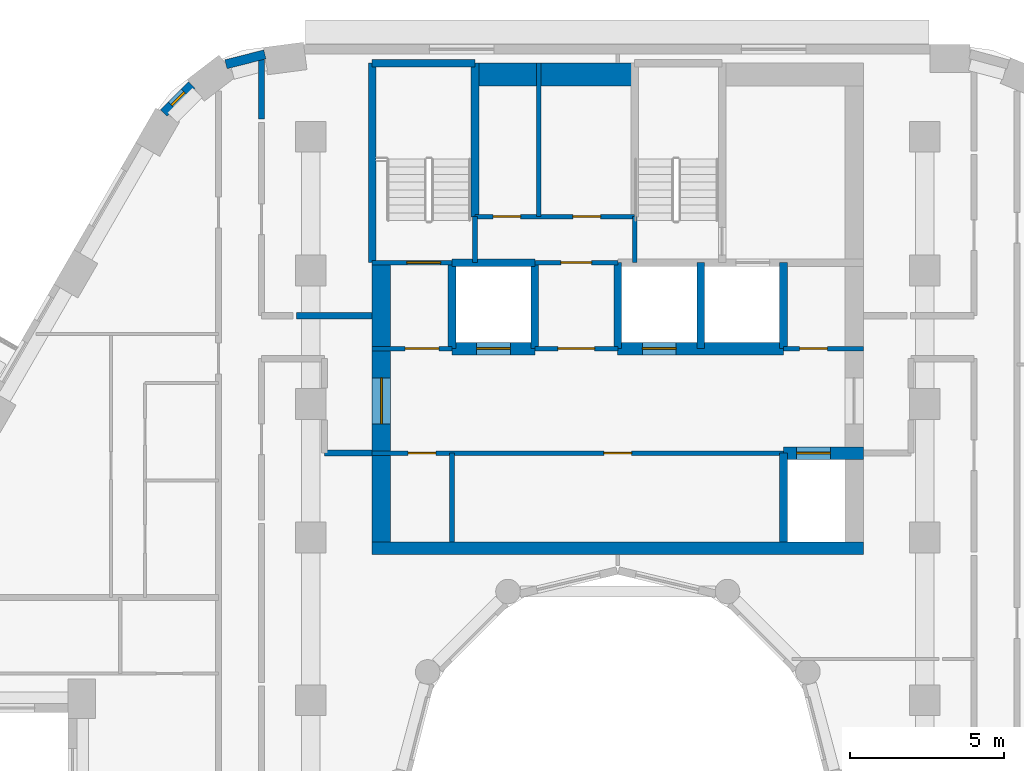
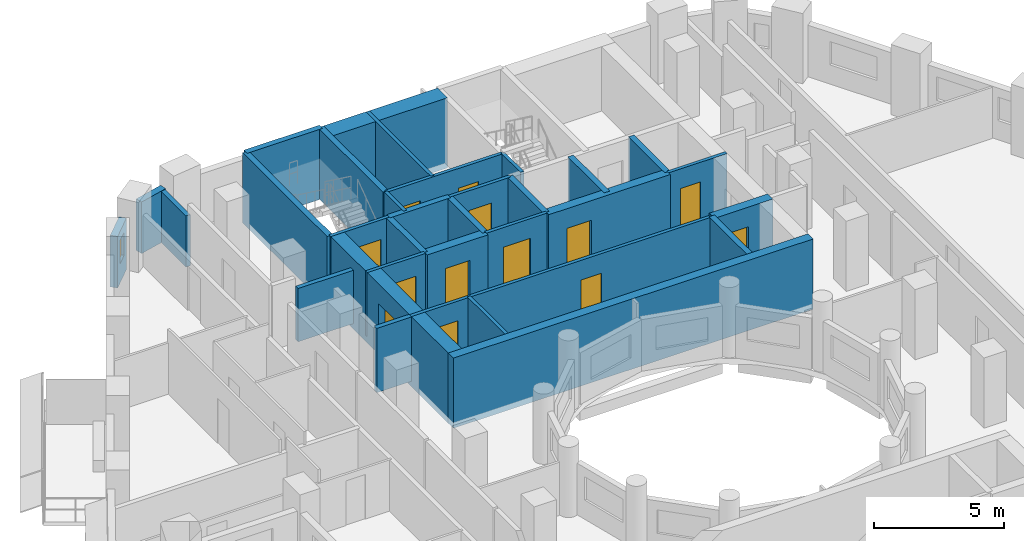
# One storey, part 7 of 13: 32 walls, 13 doors, 1 window, 14 openings.
"""IFC4 building model written with IfcOpenShell, lengths in metres."""

from ifc_helpers import new_model, si_unit, direction, frame, frame_2d, origin, place, context, subcontext, project, spatial, rectangle, extrude, material, layer, layer_set, type_object, element, fill, save


model = new_model("IFC4")

# Units and contexts
model_context = context("Model", 3, precision=1e-05, world=origin(), true_north=direction((0.0, 1.0)))
body_context = subcontext(model_context, "Body", "Model", "MODEL_VIEW")
ifc_project = project(units=[si_unit("LENGTHUNIT", "METRE"), si_unit("AREAUNIT", "SQUARE_METRE"), si_unit("VOLUMEUNIT", "CUBIC_METRE"), si_unit("PLANEANGLEUNIT", "RADIAN"), si_unit("MASSUNIT", "GRAM", prefix="KILO")], contexts=[model_context])

# Site, building, storey
site_placement = place(None, origin())
site = spatial("IfcSite", under=ifc_project, at=site_placement, CompositionType="ELEMENT")
building_placement = place(site_placement, origin())
building = spatial("IfcBuilding", under=site, at=building_placement, Name="Nakaniwa Court", CompositionType="ELEMENT")
storey_placement = place(building_placement, frame((0.0, 0.0, 137.10009765625)))
storey = spatial("IfcBuildingStorey", under=building, at=storey_placement, Name="L35", CompositionType="ELEMENT", Elevation=137.10009765625)

# Walls
ifc_material_1 = material(Name="Acoustic double stud partition")
ifc_layer_1 = layer(ifc_material_1, 0.199951171875)
ifc_layer_set_1 = layer_set([ifc_layer_1], Name="Acoustic double stud partition")
wall_type_1 = type_object("IfcWallType", Name="Acoustic double stud partition 200", PredefinedType="PARTITIONING", material=ifc_layer_set_1)
wall_1_placement = place(storey_placement, frame((70.449951171875, 90.699951171875, 0.0), z_axis=(0.0, 0.0, 1.0), x_axis=(1.0, 0.0, 0.0)))
element("IfcWall", 1, at=wall_1_placement, inside=storey, type_object=wall_type_1, Name="Partition PW-088", PredefinedType="PARTITIONING", context=body_context, shape_type="SweptSolid", body=[
    extrude(rectangle(XDim=1.550048828125, YDim=0.199951171875, at=frame_2d((0.77490234375, 0.0))), origin(), (0.0, 0.0, 1.0), 3.02490234375),
])
wall_2_placement = place(storey_placement, frame((69.537109375, 95.175048828125, 0.0), z_axis=(0.0, 0.0, 1.0), x_axis=(1.0, 0.0, 0.0)))
element("IfcWall", 2, at=wall_2_placement, inside=storey, type_object=wall_type_1, Name="Partition PW-091", PredefinedType="PARTITIONING", context=body_context, shape_type="SweptSolid", body=[
    extrude(rectangle(XDim=2.462890625, YDim=0.199951171875, at=frame_2d((1.2314453125, 0.0))), origin(), (0.0, 0.0, 1.0), 2.5048828125),
])
wall_3_placement = place(storey_placement, frame((68.39990234375, 101.5771484375, 0.0), z_axis=(0.0, 0.0, 1.0), x_axis=(0.0, 1.0, 0.0)))
element("IfcWall", 3, at=wall_3_placement, inside=storey, type_object=wall_type_1, Name="Partition PW-102", PredefinedType="PARTITIONING", context=body_context, shape_type="SweptSolid", body=[
    extrude(rectangle(XDim=2.02197265625, YDim=0.199951171875, at=frame_2d((1.010986328125, 0.0))), origin(), (0.0, 0.0, 1.0), 2.40478515625),
])
ifc_material_2 = material(Name="Charcoal ceramic cladding")
ifc_layer_2 = layer(ifc_material_2, 0.02, Name="Ceramic cladding")
ifc_material_3 = material(Name="Ventilated air cavity")
ifc_layer_3 = layer(ifc_material_3, 0.04, ventilated=True, Name="Ventilated cavity")
ifc_material_4 = material(Name="Mineral wool insulation")
ifc_layer_4 = layer(ifc_material_4, 0.1, Name="Insulation")
ifc_material_5 = material(Name="Cement bonded sheathing board")
ifc_layer_5 = layer(ifc_material_5, 0.012, Name="Sheathing")
ifc_material_6 = material(Name="Cold-formed galvanised stud frame with mineral wool infill")
ifc_layer_6 = layer(ifc_material_6, 0.1, Name="Stud frame")
ifc_material_7 = material(Name="Fire-rated gypsum plasterboard lining")
ifc_layer_7 = layer(ifc_material_7, 0.028, Name="Lining")
ifc_layer_set_2 = layer_set([ifc_layer_2, ifc_layer_3, ifc_layer_4, ifc_layer_5, ifc_layer_6, ifc_layer_7], Name="Charcoal ceramic faced external wall system")
wall_type_2 = type_object("IfcWallType", Name="Black ceramic faced external wall 300", PredefinedType="SOLIDWALL", material=ifc_layer_set_2)
wall_4_placement = place(storey_placement, frame((68.506103515625, 103.68310546875, 0.0), z_axis=(0.0, 0.0, 1.0), x_axis=(-0.96924493129, -0.246098076322, 0.0)))
element("IfcWall", 4, at=wall_4_placement, inside=storey, type_object=wall_type_2, Name="L35 external wall 09", PredefinedType="SOLIDWALL", context=body_context, shape_type="SweptSolid", body=[
    extrude(rectangle(XDim=1.305419921875, YDim=0.300048828125, at=frame_2d((0.65283203125, 0.0))), origin(), (0.0, 0.0, 1.0), 2.4248046875),
])

# Wall, opening, window
wall_5_placement = place(storey_placement, frame((66.12890625, 102.68798828125, 0.0), z_axis=(0.0, 0.0, 1.0), x_axis=(-0.70881270082, -0.705396735997, 0.0)))
wall_5 = element("IfcWall", 5, at=wall_5_placement, inside=storey, type_object=wall_type_2, Name="L35 external wall 10", PredefinedType="SOLIDWALL", context=body_context, shape_type="SweptSolid", body=[
    extrude(rectangle(XDim=1.286376953125, YDim=0.300048828125, at=frame_2d((0.64306640625, 0.0))), origin(), (0.0, 0.0, 1.0), 2.4248046875),
])
opening_1_placement = place(wall_5_placement, frame((0.3330078125, 0.0, 0.89990234375)))
opening_1 = element("IfcOpeningElement", 6, at=opening_1_placement, cuts=wall_5, Name="Opening W8.11", PredefinedType="OPENING", context=body_context, shape_type="SweptSolid", body=[
    extrude(rectangle(XDim=0.60009765625, YDim=1.10009765625, at=frame_2d((0.300048828125, 0.550048828125))), frame((0.0, 0.159912109375, 0.0), z_axis=(0.0, -1.0, 0.0), x_axis=(1.0, 0.0, 0.0)), (0.0, 0.0, 1.0), 0.320068359375),
])
ifc_material_8 = material(Name="Black anodised aluminium frame with dark low-E laminated double glazing", Category="aluminium")
window_type = type_object("IfcWindowType", Name="Dark glass window 600x1100 sill 900", PartitioningType="SINGLE_PANEL", PredefinedType="WINDOW", material=ifc_material_8)
window_placement = place(opening_1_placement, origin())
window = element("IfcWindow", 7, at=window_placement, inside=storey, type_object=window_type, Name="L35 habitable room window 10-0", OverallHeight=1.10009765625, OverallWidth=0.60009765625, PartitioningType="SINGLE_PANEL", PredefinedType="WINDOW", context=body_context, shape_type="SweptSolid", body=[
    extrude(rectangle(XDim=0.60009765625, YDim=1.10009765625, at=frame_2d((0.300048828125, 0.550048828125))), frame((0.0, 0.030029296875, 0.0), z_axis=(0.0, -1.0, 0.0), x_axis=(1.0, 0.0, 0.0)), (0.0, 0.0, 1.0), 0.06005859375),
])
fill(opening_1, window)

# Wall
ifc_material_9 = material(Name="Blockwork partition", Category="masonry")
ifc_layer_8 = layer(ifc_material_9, 0.14990234375)
ifc_layer_set_3 = layer_set([ifc_layer_8], Name="Blockwork partition")
wall_type_3 = type_object("IfcWallType", Name="Blockwork partition 150", PredefinedType="PARTITIONING", material=ifc_layer_set_3)
wall_6_placement = place(storey_placement, frame((74.60009765625, 87.800048828125, 0.0), z_axis=(0.0, 0.0, 1.0), x_axis=(0.0, 1.0, 0.0)))
element("IfcWall", 8, at=wall_6_placement, inside=storey, type_object=wall_type_3, Name="Partition PW-001", PredefinedType="PARTITIONING", context=body_context, shape_type="SweptSolid", body=[
    extrude(rectangle(XDim=2.89990234375, YDim=0.14990234375, at=frame_2d((1.449951171875, 0.0))), origin(), (0.0, 0.0, 1.0), 3.02490234375),
])

# Wall, openings, doors
wall_7_placement = place(storey_placement, frame((85.39990234375, 90.699951171875, 0.0), z_axis=(0.0, 0.0, 1.0), x_axis=(-1.0, 0.0, 0.0)))
wall_7 = element("IfcWall", 9, at=wall_7_placement, inside=storey, type_object=wall_type_3, Name="Partition PW-002", PredefinedType="PARTITIONING", context=body_context, shape_type="SweptSolid", body=[
    extrude(rectangle(XDim=13.39990234375, YDim=0.14990234375, at=frame_2d((6.699951171875, 0.0))), origin(), (0.0, 0.0, 1.0), 3.02490234375),
])
opening_2_placement = place(wall_7_placement, frame((11.324951171875, 0.0, 0.0)))
opening_2 = element("IfcOpeningElement", 10, at=opening_2_placement, cuts=wall_7, Name="Opening D-05-01", PredefinedType="OPENING", context=body_context, shape_type="SweptSolid", body=[
    extrude(rectangle(XDim=0.89990234375, YDim=2.10009765625, at=frame_2d((0.449951171875, 1.050048828125))), frame((0.0, 0.0849609375, 0.0), z_axis=(0.0, -1.0, 0.0), x_axis=(1.0, 0.0, 0.0)), (0.0, 0.0, 1.0), 0.169921875),
])
opening_3_placement = place(wall_7_placement, frame((4.949951171875, 0.0, 0.0)))
opening_3 = element("IfcOpeningElement", 11, at=opening_3_placement, cuts=wall_7, Name="Opening D-05-02", PredefinedType="OPENING", context=body_context, shape_type="SweptSolid", body=[
    extrude(rectangle(XDim=0.89990234375, YDim=2.10009765625, at=frame_2d((0.449951171875, 1.050048828125))), frame((0.0, 0.0849609375, 0.0), z_axis=(0.0, -1.0, 0.0), x_axis=(1.0, 0.0, 0.0)), (0.0, 0.0, 1.0), 0.169921875),
])
ifc_material_10 = material(Name="Fire rated steel door set", Category="steel")
door_type_1 = type_object("IfcDoorType", Name="Service room door 900", OperationType="NOTDEFINED", PredefinedType="DOOR", material=ifc_material_10)
door_1_placement = place(opening_2_placement, origin())
door_1 = element("IfcDoor", 12, at=door_1_placement, inside=storey, type_object=door_type_1, Name="Door D-05-01 L35-001", OperationType="SINGLE_SWING_RIGHT", OverallHeight=2.10009765625, OverallWidth=0.89990234375, PredefinedType="DOOR", context=body_context, shape_type="SweptSolid", body=[
    extrude(rectangle(XDim=0.89990234375, YDim=2.10009765625, at=frame_2d((0.449951171875, 1.050048828125))), frame((0.0, 0.02490234375, 0.0), z_axis=(0.0, -1.0, 0.0), x_axis=(1.0, 0.0, 0.0)), (0.0, 0.0, 1.0), 0.050048828125),
])
fill(opening_2, door_1)
door_2_placement = place(opening_3_placement, origin())
door_2 = element("IfcDoor", 13, at=door_2_placement, inside=storey, type_object=door_type_1, Name="Door D-05-02 L35-002", OperationType="SINGLE_SWING_LEFT", OverallHeight=2.10009765625, OverallWidth=0.89990234375, PredefinedType="DOOR", context=body_context, shape_type="SweptSolid", body=[
    extrude(rectangle(XDim=0.89990234375, YDim=2.10009765625, at=frame_2d((0.449951171875, 1.050048828125))), frame((0.0, 0.02490234375, 0.0), z_axis=(0.0, -1.0, 0.0), x_axis=(1.0, 0.0, 0.0)), (0.0, 0.0, 1.0), 0.050048828125),
])
fill(opening_3, door_2)

# Wall, opening, door
wall_8_placement = place(storey_placement, frame((72.0, 94.10009765625, 0.0), z_axis=(0.0, 0.0, 1.0), x_axis=(1.0, 0.0, 0.0)))
wall_8 = element("IfcWall", 14, at=wall_8_placement, inside=storey, type_object=wall_type_3, Name="Partition PW-008", PredefinedType="PARTITIONING", context=body_context, shape_type="SweptSolid", body=[
    extrude(rectangle(XDim=2.60302734375, YDim=0.14990234375, at=frame_2d((1.301513671875, 0.0))), origin(), (0.0, 0.0, 1.0), 3.02490234375),
])
opening_4_placement = place(wall_8_placement, frame((1.074951171875, 0.0, 0.0)))
opening_4 = element("IfcOpeningElement", 15, at=opening_4_placement, cuts=wall_8, Name="Opening D-08-01", PredefinedType="OPENING", context=body_context, shape_type="SweptSolid", body=[
    extrude(rectangle(XDim=1.10009765625, YDim=2.10009765625, at=frame_2d((0.550048828125, 1.050048828125))), frame((0.0, 0.0849609375, 0.0), z_axis=(0.0, -1.0, 0.0), x_axis=(1.0, 0.0, 0.0)), (0.0, 0.0, 1.0), 0.169921875),
])
door_type_2 = type_object("IfcDoorType", Name="Stair lobby door 1100", OperationType="NOTDEFINED", PredefinedType="DOOR", material=ifc_material_10)
door_3_placement = place(opening_4_placement, origin())
door_3 = element("IfcDoor", 16, at=door_3_placement, inside=storey, type_object=door_type_2, Name="Door D-08-01 L35-003", OperationType="SINGLE_SWING_RIGHT", OverallHeight=2.10009765625, OverallWidth=1.10009765625, PredefinedType="DOOR", context=body_context, shape_type="SweptSolid", body=[
    extrude(rectangle(XDim=1.10009765625, YDim=2.10009765625, at=frame_2d((0.550048828125, 1.050048828125))), frame((0.0, 0.02490234375, 0.0), z_axis=(0.0, -1.0, 0.0), x_axis=(1.0, 0.0, 0.0)), (0.0, 0.0, 1.0), 0.050048828125),
])
fill(opening_4, door_3)

wall_9_placement = place(storey_placement, frame((77.297119140625, 94.10009765625, 0.0), z_axis=(0.0, 0.0, 1.0), x_axis=(1.0, 0.0, 0.0)))
wall_9 = element("IfcWall", 17, at=wall_9_placement, inside=storey, type_object=wall_type_3, Name="Partition PW-009", PredefinedType="PARTITIONING", context=body_context, shape_type="SweptSolid", body=[
    extrude(rectangle(XDim=2.705810546875, YDim=0.14990234375, at=frame_2d((1.35302734375, 0.0))), origin(), (0.0, 0.0, 1.0), 3.02490234375),
])
opening_5_placement = place(wall_9_placement, frame((0.7529296875, 0.0, 0.0)))
opening_5 = element("IfcOpeningElement", 18, at=opening_5_placement, cuts=wall_9, Name="Opening D-06-01", PredefinedType="OPENING", context=body_context, shape_type="SweptSolid", body=[
    extrude(rectangle(XDim=1.199951171875, YDim=2.10009765625, at=frame_2d((0.60009765625, 1.050048828125))), frame((0.0, 0.0849609375, 0.0), z_axis=(0.0, -1.0, 0.0), x_axis=(1.0, 0.0, 0.0)), (0.0, 0.0, 1.0), 0.169921875),
])
ifc_material_11 = material(Name="Fire rated steel double door set", Category="steel")
door_type_3 = type_object("IfcDoorType", Name="Service passage double door 1200", OperationType="NOTDEFINED", PredefinedType="DOOR", material=ifc_material_11)
door_4_placement = place(opening_5_placement, origin())
door_4 = element("IfcDoor", 19, at=door_4_placement, inside=storey, type_object=door_type_3, Name="Door D-06-01 L35-004", OperationType="DOUBLE_DOOR_SINGLE_SWING", OverallHeight=2.10009765625, OverallWidth=1.199951171875, PredefinedType="DOOR", context=body_context, shape_type="SweptSolid", body=[
    extrude(rectangle(XDim=1.199951171875, YDim=2.10009765625, at=frame_2d((0.60009765625, 1.050048828125))), frame((0.0, 0.02490234375, 0.0), z_axis=(0.0, -1.0, 0.0), x_axis=(1.0, 0.0, 0.0)), (0.0, 0.0, 1.0), 0.050048828125),
])
fill(opening_5, door_4)

wall_10_placement = place(storey_placement, frame((85.39697265625, 94.10009765625, 0.0), z_axis=(0.0, 0.0, 1.0), x_axis=(1.0, 0.0, 0.0)))
wall_10 = element("IfcWall", 20, at=wall_10_placement, inside=storey, type_object=wall_type_3, Name="Partition PW-010", PredefinedType="PARTITIONING", context=body_context, shape_type="SweptSolid", body=[
    extrude(rectangle(XDim=2.60302734375, YDim=0.14990234375, at=frame_2d((1.301513671875, 0.0))), origin(), (0.0, 0.0, 1.0), 3.02490234375),
])
opening_6_placement = place(wall_10_placement, frame((0.528076171875, 0.0, 0.0)))
opening_6 = element("IfcOpeningElement", 21, at=opening_6_placement, cuts=wall_10, Name="Opening D-05-03", PredefinedType="OPENING", context=body_context, shape_type="SweptSolid", body=[
    extrude(rectangle(XDim=0.89990234375, YDim=2.10009765625, at=frame_2d((0.449951171875, 1.050048828125))), frame((0.0, 0.0849609375, 0.0), z_axis=(0.0, -1.0, 0.0), x_axis=(1.0, 0.0, 0.0)), (0.0, 0.0, 1.0), 0.169921875),
])
door_5_placement = place(opening_6_placement, origin())
door_5 = element("IfcDoor", 22, at=door_5_placement, inside=storey, type_object=door_type_1, Name="Door D-05-03 L35-005", OperationType="SINGLE_SWING_RIGHT", OverallHeight=2.10009765625, OverallWidth=0.89990234375, PredefinedType="DOOR", context=body_context, shape_type="SweptSolid", body=[
    extrude(rectangle(XDim=0.89990234375, YDim=2.10009765625, at=frame_2d((0.449951171875, 1.050048828125))), frame((0.0, 0.02490234375, 0.0), z_axis=(0.0, -1.0, 0.0), x_axis=(1.0, 0.0, 0.0)), (0.0, 0.0, 1.0), 0.050048828125),
])
fill(opening_6, door_5)

wall_11_placement = place(storey_placement, frame((77.300048828125, 96.89990234375, 0.0), z_axis=(0.0, 0.0, 1.0), x_axis=(1.0, 0.0, 0.0)))
wall_11 = element("IfcWall", 23, at=wall_11_placement, inside=storey, type_object=wall_type_3, Name="Partition PW-019", PredefinedType="PARTITIONING", context=body_context, shape_type="SweptSolid", body=[
    extrude(rectangle(XDim=2.699951171875, YDim=0.14990234375, at=frame_2d((1.35009765625, 0.0))), origin(), (0.0, 0.0, 1.0), 3.02490234375),
])
opening_7_placement = place(wall_11_placement, frame((0.85009765625, 0.0, 0.0)))
opening_7 = element("IfcOpeningElement", 24, at=opening_7_placement, cuts=wall_11, Name="Opening D-23-01", PredefinedType="OPENING", context=body_context, shape_type="SweptSolid", body=[
    extrude(rectangle(XDim=1.0, YDim=2.10009765625, at=frame_2d((0.5, 1.050048828125))), frame((0.0, 0.0849609375, 0.0), z_axis=(0.0, -1.0, 0.0), x_axis=(1.0, 0.0, 0.0)), (0.0, 0.0, 1.0), 0.169921875),
])
door_type_4 = type_object("IfcDoorType", Name="Service room door 1000", OperationType="NOTDEFINED", PredefinedType="DOOR", material=ifc_material_10)
door_6_placement = place(opening_7_placement, origin())
door_6 = element("IfcDoor", 25, at=door_6_placement, inside=storey, type_object=door_type_4, Name="Door D-23-01 L35-006", OperationType="SINGLE_SWING_LEFT", OverallHeight=2.10009765625, OverallWidth=1.0, PredefinedType="DOOR", context=body_context, shape_type="SweptSolid", body=[
    extrude(rectangle(XDim=1.0, YDim=2.10009765625, at=frame_2d((0.5, 1.050048828125))), frame((0.0, 0.02490234375, 0.0), z_axis=(0.0, -1.0, 0.0), x_axis=(1.0, 0.0, 0.0)), (0.0, 0.0, 1.0), 0.050048828125),
])
fill(opening_7, door_6)

# Wall, openings, doors
wall_12_placement = place(storey_placement, frame((75.35009765625, 98.39990234375, 0.0), z_axis=(0.0, 0.0, 1.0), x_axis=(1.0, 0.0, 0.0)))
wall_12 = element("IfcWall", 26, at=wall_12_placement, inside=storey, type_object=wall_type_3, Name="Partition PW-031", PredefinedType="PARTITIONING", context=body_context, shape_type="SweptSolid", body=[
    extrude(rectangle(XDim=5.199951171875, YDim=0.14990234375, at=frame_2d((2.60009765625, 0.0))), origin(), (0.0, 0.0, 1.0), 3.02490234375),
])
opening_8_placement = place(wall_12_placement, frame((0.590087890625, 0.0, 0.0)))
opening_8 = element("IfcOpeningElement", 27, at=opening_8_placement, cuts=wall_12, Name="Opening D-05-04", PredefinedType="OPENING", context=body_context, shape_type="SweptSolid", body=[
    extrude(rectangle(XDim=0.89990234375, YDim=2.10009765625, at=frame_2d((0.449951171875, 1.050048828125))), frame((0.0, 0.0849609375, 0.0), z_axis=(0.0, -1.0, 0.0), x_axis=(1.0, 0.0, 0.0)), (0.0, 0.0, 1.0), 0.169921875),
])
opening_9_placement = place(wall_12_placement, frame((3.18994140625, 0.0, 0.0)))
opening_9 = element("IfcOpeningElement", 28, at=opening_9_placement, cuts=wall_12, Name="Opening D-05-05", PredefinedType="OPENING", context=body_context, shape_type="SweptSolid", body=[
    extrude(rectangle(XDim=0.89990234375, YDim=2.10009765625, at=frame_2d((0.449951171875, 1.050048828125))), frame((0.0, 0.0849609375, 0.0), z_axis=(0.0, -1.0, 0.0), x_axis=(1.0, 0.0, 0.0)), (0.0, 0.0, 1.0), 0.169921875),
])
door_7_placement = place(opening_8_placement, origin())
door_7 = element("IfcDoor", 29, at=door_7_placement, inside=storey, type_object=door_type_1, Name="Door D-05-04 L35-007", OperationType="SINGLE_SWING_RIGHT", OverallHeight=2.10009765625, OverallWidth=0.89990234375, PredefinedType="DOOR", context=body_context, shape_type="SweptSolid", body=[
    extrude(rectangle(XDim=0.89990234375, YDim=2.10009765625, at=frame_2d((0.449951171875, 1.050048828125))), frame((0.0, 0.02490234375, 0.0), z_axis=(0.0, -1.0, 0.0), x_axis=(1.0, 0.0, 0.0)), (0.0, 0.0, 1.0), 0.050048828125),
])
fill(opening_8, door_7)
door_8_placement = place(opening_9_placement, origin())
door_8 = element("IfcDoor", 30, at=door_8_placement, inside=storey, type_object=door_type_1, Name="Door D-05-05 L35-008", OperationType="SINGLE_SWING_LEFT", OverallHeight=2.10009765625, OverallWidth=0.89990234375, PredefinedType="DOOR", context=body_context, shape_type="SweptSolid", body=[
    extrude(rectangle(XDim=0.89990234375, YDim=2.10009765625, at=frame_2d((0.449951171875, 1.050048828125))), frame((0.0, 0.02490234375, 0.0), z_axis=(0.0, -1.0, 0.0), x_axis=(1.0, 0.0, 0.0)), (0.0, 0.0, 1.0), 0.050048828125),
])
fill(opening_9, door_8)

# Wall
wall_13_placement = place(storey_placement, frame((77.429931640625, 98.39990234375, 0.0), z_axis=(0.0, 0.0, 1.0), x_axis=(0.0, 1.0, 0.0)))
element("IfcWall", 31, at=wall_13_placement, inside=storey, type_object=wall_type_3, Name="Partition PW-032", PredefinedType="PARTITIONING", context=body_context, shape_type="SweptSolid", body=[
    extrude(rectangle(XDim=5.0, YDim=0.14990234375, at=frame_2d((2.5, 0.0))), origin(), (0.0, 0.0, 1.0), 3.02490234375),
])

# Wall, opening, door
ifc_material_12 = material(Name="Concrete C80/100", Category="concrete")
ifc_layer_9 = layer(ifc_material_12, 0.60009765625)
ifc_layer_set_4 = layer_set([ifc_layer_9], Name="Concrete C80/100")
wall_type_4 = type_object("IfcWallType", Name="Concrete core side wall 600 C80", PredefinedType="SHEAR", material=ifc_layer_set_4)
wall_14_placement = place(storey_placement, frame((72.300048828125, 87.800048828125, -0.275146484375), z_axis=(0.0, 0.0, 1.0), x_axis=(0.0, 1.0, 0.0)))
wall_14 = element("IfcWall", 32, at=wall_14_placement, inside=storey, type_object=wall_type_4, Name="Core wall SW-03", PredefinedType="SHEAR", context=body_context, shape_type="SweptSolid", body=[
    extrude(rectangle(XDim=9.099853515625, YDim=0.60009765625, at=frame_2d((4.5498046875, 0.0))), origin(), (0.0, 0.0, 1.0), 3.300048828125),
])
opening_10_placement = place(wall_14_placement, frame((3.85205078125, 0.0, 0.27490234375)))
opening_10 = element("IfcOpeningElement", 33, at=opening_10_placement, cuts=wall_14, Name="Opening D-07-02", PredefinedType="OPENING", context=body_context, shape_type="SweptSolid", body=[
    extrude(rectangle(XDim=1.5, YDim=2.10009765625, at=frame_2d((0.75, 1.050048828125))), frame((0.0, 0.31005859375, 0.0), z_axis=(0.0, -1.0, 0.0), x_axis=(1.0, 0.0, 0.0)), (0.0, 0.0, 1.0), 0.6201171875),
])
ifc_material_13 = material(Name="Glazed fire rated steel double door set", Category="steel")
door_type_5 = type_object("IfcDoorType", Name="Lobby double door 1500", OperationType="NOTDEFINED", PredefinedType="DOOR", material=ifc_material_13)
door_9_placement = place(opening_10_placement, origin())
door_9 = element("IfcDoor", 34, at=door_9_placement, inside=storey, type_object=door_type_5, Name="Door D-07-02 L35-044", OperationType="DOUBLE_DOOR_SINGLE_SWING", OverallHeight=2.10009765625, OverallWidth=1.5, PredefinedType="DOOR", context=body_context, shape_type="SweptSolid", body=[
    extrude(rectangle(XDim=1.5, YDim=2.10009765625, at=frame_2d((0.75, 1.050048828125))), frame((0.0, 0.02490234375, 0.0), z_axis=(0.0, -1.0, 0.0), x_axis=(1.0, 0.0, 0.0)), (0.0, 0.0, 1.0), 0.050048828125),
])
fill(opening_10, door_9)

ifc_layer_10 = layer(ifc_material_12, 0.39990234375)
ifc_layer_set_5 = layer_set([ifc_layer_10], Name="Concrete C80/100")
wall_type_5 = type_object("IfcWallType", Name="Concrete core spine wall 400 C80", PredefinedType="SHEAR", material=ifc_layer_set_5)
wall_15_placement = place(storey_placement, frame((85.39990234375, 90.699951171875, -0.275146484375), z_axis=(0.0, 0.0, 1.0), x_axis=(1.0, 0.0, 0.0)))
wall_15 = element("IfcWall", 35, at=wall_15_placement, inside=storey, type_object=wall_type_5, Name="Core wall SW-06", PredefinedType="SHEAR", context=body_context, shape_type="SweptSolid", body=[
    extrude(rectangle(XDim=2.60009765625, YDim=0.39990234375, at=frame_2d((1.300048828125, 0.0))), origin(), (0.0, 0.0, 1.0), 3.300048828125),
])
opening_11_placement = place(wall_15_placement, frame((0.425048828125, 0.0, 0.27490234375)))
opening_11 = element("IfcOpeningElement", 36, at=opening_11_placement, cuts=wall_15, Name="Opening LD01", PredefinedType="OPENING", context=body_context, shape_type="SweptSolid", body=[
    extrude(rectangle(XDim=1.10009765625, YDim=2.10009765625, at=frame_2d((0.550048828125, 1.050048828125))), frame((0.0, 0.2099609375, 0.0), z_axis=(0.0, -1.0, 0.0), x_axis=(1.0, 0.0, 0.0)), (0.0, 0.0, 1.0), 0.419921875),
])
ifc_material_14 = material(Name="Stainless steel sliding lift landing door", Category="steel")
door_type_6 = type_object("IfcDoorType", Name="Lift landing door 1100", OperationType="NOTDEFINED", PredefinedType="DOOR", material=ifc_material_14)
door_10_placement = place(opening_11_placement, origin())
door_10 = element("IfcDoor", 37, at=door_10_placement, inside=storey, type_object=door_type_6, Name="Lift landing door LD01 L35-001", OperationType="SLIDING_TO_LEFT", OverallHeight=2.10009765625, OverallWidth=1.10009765625, PredefinedType="DOOR", context=body_context, shape_type="SweptSolid", body=[
    extrude(rectangle(XDim=1.10009765625, YDim=2.10009765625, at=frame_2d((0.550048828125, 1.050048828125))), frame((0.0, 0.02490234375, 0.0), z_axis=(0.0, -1.0, 0.0), x_axis=(1.0, 0.0, 0.0)), (0.0, 0.0, 1.0), 0.050048828125),
])
fill(opening_11, door_10)

wall_16_placement = place(storey_placement, frame((74.596923828125, 94.10009765625, -0.275146484375), z_axis=(0.0, 0.0, 1.0), x_axis=(1.0, 0.0, 0.0)))
wall_16 = element("IfcWall", 38, at=wall_16_placement, inside=storey, type_object=wall_type_5, Name="Core wall SW-11", PredefinedType="SHEAR", context=body_context, shape_type="SweptSolid", body=[
    extrude(rectangle(XDim=2.7060546875, YDim=0.39990234375, at=frame_2d((1.35302734375, 0.0))), origin(), (0.0, 0.0, 1.0), 3.300048828125),
])
opening_12_placement = place(wall_16_placement, frame((0.802978515625, 0.0, 0.27490234375)))
opening_12 = element("IfcOpeningElement", 39, at=opening_12_placement, cuts=wall_16, Name="Opening LD02", PredefinedType="OPENING", context=body_context, shape_type="SweptSolid", body=[
    extrude(rectangle(XDim=1.10009765625, YDim=2.10009765625, at=frame_2d((0.550048828125, 1.050048828125))), frame((0.0, 0.2099609375, 0.0), z_axis=(0.0, -1.0, 0.0), x_axis=(1.0, 0.0, 0.0)), (0.0, 0.0, 1.0), 0.419921875),
])
door_11_placement = place(opening_12_placement, origin())
door_11 = element("IfcDoor", 40, at=door_11_placement, inside=storey, type_object=door_type_6, Name="Lift landing door LD02 L35-002", OperationType="SLIDING_TO_LEFT", OverallHeight=2.10009765625, OverallWidth=1.10009765625, PredefinedType="DOOR", context=body_context, shape_type="SweptSolid", body=[
    extrude(rectangle(XDim=1.10009765625, YDim=2.10009765625, at=frame_2d((0.550048828125, 1.050048828125))), frame((0.0, 0.02490234375, 0.0), z_axis=(0.0, -1.0, 0.0), x_axis=(1.0, 0.0, 0.0)), (0.0, 0.0, 1.0), 0.050048828125),
])
fill(opening_12, door_11)

wall_17_placement = place(storey_placement, frame((79.9970703125, 94.10009765625, -0.275146484375), z_axis=(0.0, 0.0, 1.0), x_axis=(1.0, 0.0, 0.0)))
wall_17 = element("IfcWall", 41, at=wall_17_placement, inside=storey, type_object=wall_type_5, Name="Core wall SW-12", PredefinedType="SHEAR", context=body_context, shape_type="SweptSolid", body=[
    extrude(rectangle(XDim=5.406005859375, YDim=0.39990234375, at=frame_2d((2.703125, 0.0))), origin(), (0.0, 0.0, 1.0), 3.300048828125),
])
opening_13_placement = place(wall_17_placement, frame((0.802978515625, 0.0, 0.27490234375)))
opening_13 = element("IfcOpeningElement", 42, at=opening_13_placement, cuts=wall_17, Name="Opening LD03", PredefinedType="OPENING", context=body_context, shape_type="SweptSolid", body=[
    extrude(rectangle(XDim=1.10009765625, YDim=2.10009765625, at=frame_2d((0.550048828125, 1.050048828125))), frame((0.0, 0.2099609375, 0.0), z_axis=(0.0, -1.0, 0.0), x_axis=(1.0, 0.0, 0.0)), (0.0, 0.0, 1.0), 0.419921875),
])
door_12_placement = place(opening_13_placement, origin())
door_12 = element("IfcDoor", 43, at=door_12_placement, inside=storey, type_object=door_type_6, Name="Lift landing door LD03 L35-003", OperationType="SLIDING_TO_LEFT", OverallHeight=2.10009765625, OverallWidth=1.10009765625, PredefinedType="DOOR", context=body_context, shape_type="SweptSolid", body=[
    extrude(rectangle(XDim=1.10009765625, YDim=2.10009765625, at=frame_2d((0.550048828125, 1.050048828125))), frame((0.0, 0.02490234375, 0.0), z_axis=(0.0, -1.0, 0.0), x_axis=(1.0, 0.0, 0.0)), (0.0, 0.0, 1.0), 0.050048828125),
])
fill(opening_13, door_12)

ifc_layer_11 = layer(ifc_material_12, 0.14990234375)
ifc_layer_set_6 = layer_set([ifc_layer_11], Name="Concrete C80/100")
wall_type_6 = type_object("IfcWallType", Name="Concrete core wall 150 C80", PredefinedType="SHEAR", material=ifc_layer_set_6)
wall_18_placement = place(storey_placement, frame((74.60009765625, 96.89990234375, -0.275146484375), z_axis=(0.0, 0.0, 1.0), x_axis=(-1.0, 0.0, 0.0)))
wall_18 = element("IfcWall", 44, at=wall_18_placement, inside=storey, type_object=wall_type_6, Name="Core wall SW-14", PredefinedType="SHEAR", context=body_context, shape_type="SweptSolid", body=[
    extrude(rectangle(XDim=2.60009765625, YDim=0.14990234375, at=frame_2d((1.300048828125, 0.0))), origin(), (0.0, 0.0, 1.0), 3.300048828125),
])
opening_14_placement = place(wall_18_placement, frame((0.3701171875, 0.0, 0.27490234375)))
opening_14 = element("IfcOpeningElement", 45, at=opening_14_placement, cuts=wall_18, Name="Opening D-09-01", PredefinedType="OPENING", context=body_context, shape_type="SweptSolid", body=[
    extrude(rectangle(XDim=1.10009765625, YDim=2.10009765625, at=frame_2d((0.550048828125, 1.050048828125))), frame((0.0, 0.0849609375, 0.0), z_axis=(0.0, -1.0, 0.0), x_axis=(1.0, 0.0, 0.0)), (0.0, 0.0, 1.0), 0.169921875),
])
door_type_7 = type_object("IfcDoorType", Name="Stair door 1100", OperationType="NOTDEFINED", PredefinedType="DOOR", material=ifc_material_10)
door_13_placement = place(opening_14_placement, origin())
door_13 = element("IfcDoor", 46, at=door_13_placement, inside=storey, type_object=door_type_7, Name="Door D-09-01 L35-009", OperationType="SINGLE_SWING_LEFT", OverallHeight=2.10009765625, OverallWidth=1.10009765625, PredefinedType="DOOR", context=body_context, shape_type="SweptSolid", body=[
    extrude(rectangle(XDim=1.10009765625, YDim=2.10009765625, at=frame_2d((0.550048828125, 1.050048828125))), frame((0.0, 0.02490234375, 0.0), z_axis=(0.0, -1.0, 0.0), x_axis=(1.0, 0.0, 0.0)), (0.0, 0.0, 1.0), 0.050048828125),
])
fill(opening_14, door_13)

# Walls
for number, where, z_axis, x_axis, name in (
    (47, (75.35009765625, 96.89990234375, -0.275146484375), (0.0, 0.0, 1.0), (0.0, 1.0, 0.0), "Core wall SW-21"),
    (48, (80.550048828125, 96.89990234375, -0.275146484375), (0.0, 0.0, 1.0), (0.0, 1.0, 0.0), "Core wall SW-27"),
):
    element("IfcWall", number, at=place(storey_placement, frame(where, z_axis=z_axis, x_axis=x_axis)), inside=storey, type_object=wall_type_6, Name=name, PredefinedType="SHEAR", context=body_context, shape_type="SweptSolid", body=[
        extrude(rectangle(XDim=1.503173828125, YDim=0.14990234375, at=frame_2d((0.75146484375, 0.0))), origin(), (0.0, 0.0, 1.0), 3.300048828125),
    ])
ifc_layer_12 = layer(ifc_material_12, 0.25)
ifc_layer_set_7 = layer_set([ifc_layer_12], Name="Concrete C80/100")
wall_type_7 = type_object("IfcWallType", Name="Concrete core wall 250 C80", PredefinedType="SHEAR", material=ifc_layer_set_7)
wall_19_placement = place(storey_placement, frame((72.0, 103.39990234375, -0.275146484375), z_axis=(0.0, 0.0, 1.0), x_axis=(1.0, 0.0, 0.0)))
element("IfcWall", 49, at=wall_19_placement, inside=storey, type_object=wall_type_7, Name="Core wall SW-23", PredefinedType="SHEAR", context=body_context, shape_type="SweptSolid", body=[
    extrude(rectangle(XDim=3.35009765625, YDim=0.25, at=frame_2d((1.675048828125, 0.0))), origin(), (0.0, 0.0, 1.0), 3.300048828125),
])
wall_20_placement = place(storey_placement, frame((72.0, 96.89990234375, -0.275146484375), z_axis=(0.0, 0.0, 1.0), x_axis=(0.0, 1.0, 0.0)))
element("IfcWall", 50, at=wall_20_placement, inside=storey, type_object=wall_type_7, Name="Core wall SW-25", PredefinedType="SHEAR", context=body_context, shape_type="SweptSolid", body=[
    extrude(rectangle(XDim=6.5, YDim=0.25, at=frame_2d((3.25, 0.0))), origin(), (0.0, 0.0, 1.0), 3.300048828125),
])
ifc_layer_13 = layer(ifc_material_12, 0.75)
ifc_layer_set_8 = layer_set([ifc_layer_13], Name="Concrete C80/100")
wall_type_8 = type_object("IfcWallType", Name="Concrete core wall 750 C80", PredefinedType="SHEAR", material=ifc_layer_set_8)
wall_21_placement = place(storey_placement, frame((75.35009765625, 103.02490234375, -0.275146484375), z_axis=(0.0, 0.0, 1.0), x_axis=(1.0, 0.0, 0.0)))
element("IfcWall", 51, at=wall_21_placement, inside=storey, type_object=wall_type_8, Name="Core wall SW-29", PredefinedType="SHEAR", context=body_context, shape_type="SweptSolid", body=[
    extrude(rectangle(XDim=5.199951171875, YDim=0.75, at=frame_2d((2.60009765625, 0.0))), origin(), (0.0, 0.0, 1.0), 3.300048828125),
])
ifc_layer_14 = layer(ifc_material_12, 0.39990234375)
ifc_layer_set_9 = layer_set([ifc_layer_14], Name="Concrete C80/100")
wall_type_9 = type_object("IfcWallType", Name="Concrete core well wall 400 C80", PredefinedType="SHEAR", material=ifc_layer_set_9)
wall_22_placement = place(storey_placement, frame((72.00390625, 87.60009765625, -0.275146484375), z_axis=(0.0, 0.0, 1.0), x_axis=(1.0, 0.0, 0.0)))
element("IfcWall", 52, at=wall_22_placement, inside=storey, type_object=wall_type_9, Name="Core wall SW-128", PredefinedType="SHEAR", context=body_context, shape_type="SweptSolid", body=[
    extrude(rectangle(XDim=15.9921875, YDim=0.39990234375, at=frame_2d((7.99609375, 0.0))), origin(), (0.0, 0.0, 1.0), 3.300048828125),
])
ifc_layer_15 = layer(ifc_material_12, 0.25)
ifc_layer_set_10 = layer_set([ifc_layer_15], Name="Concrete C80/100")
wall_type_10 = type_object("IfcWallType", Name="Concrete shaft wall 250 C80", PredefinedType="SHEAR", material=ifc_layer_set_10)
wall_23_placement = place(storey_placement, frame((85.39990234375, 87.800048828125, -0.275146484375), z_axis=(0.0, 0.0, 1.0), x_axis=(0.0, 1.0, 0.0)))
element("IfcWall", 53, at=wall_23_placement, inside=storey, type_object=wall_type_10, Name="Core wall SW-04", PredefinedType="SHEAR", context=body_context, shape_type="SweptSolid", body=[
    extrude(rectangle(XDim=2.89990234375, YDim=0.25, at=frame_2d((1.449951171875, 0.0))), origin(), (0.0, 0.0, 1.0), 3.300048828125),
])
for number, where, z_axis, x_axis, name in (
    (54, (85.39990234375, 94.10009765625, -0.275146484375), (0.0, 0.0, 1.0), (0.0, 1.0, 0.0), "Core wall SW-05"),
    (55, (74.60009765625, 94.10009765625, -0.275146484375), (0.0, 0.0, 1.0), (0.0, 1.0, 0.0), "Core wall SW-13"),
    (56, (77.300048828125, 94.10009765625, -0.275146484375), (0.0, 0.0, 1.0), (0.0, 1.0, 0.0), "Core wall SW-15"),
):
    element("IfcWall", number, at=place(storey_placement, frame(where, z_axis=z_axis, x_axis=x_axis)), inside=storey, type_object=wall_type_10, Name=name, PredefinedType="SHEAR", context=body_context, shape_type="SweptSolid", body=[
        extrude(rectangle(XDim=2.7998046875, YDim=0.25, at=frame_2d((1.39990234375, 0.0))), origin(), (0.0, 0.0, 1.0), 3.300048828125),
    ])
wall_24_placement = place(storey_placement, frame((74.60009765625, 96.89990234375, -0.275146484375), z_axis=(0.0, 0.0, 1.0), x_axis=(1.0, 0.0, 0.0)))
element("IfcWall", 57, at=wall_24_placement, inside=storey, type_object=wall_type_10, Name="Core wall SW-16", PredefinedType="SHEAR", context=body_context, shape_type="SweptSolid", body=[
    extrude(rectangle(XDim=2.699951171875, YDim=0.25, at=frame_2d((1.35009765625, 0.0))), origin(), (0.0, 0.0, 1.0), 3.300048828125),
])
for number, where, z_axis, x_axis, name in (
    (58, (80.0, 94.10009765625, -0.275146484375), (0.0, 0.0, 1.0), (0.0, 1.0, 0.0), "Core wall SW-18"),
    (59, (82.699951171875, 94.10009765625, -0.275146484375), (0.0, 0.0, 1.0), (0.0, 1.0, 0.0), "Core wall SW-20"),
):
    element("IfcWall", number, at=place(storey_placement, frame(where, z_axis=z_axis, x_axis=x_axis)), inside=storey, type_object=wall_type_10, Name=name, PredefinedType="SHEAR", context=body_context, shape_type="SweptSolid", body=[
        extrude(rectangle(XDim=2.7998046875, YDim=0.25, at=frame_2d((1.39990234375, 0.0))), origin(), (0.0, 0.0, 1.0), 3.300048828125),
    ])
wall_25_placement = place(storey_placement, frame((75.35009765625, 98.39697265625, -0.275146484375), z_axis=(0.0, 0.0, 1.0), x_axis=(0.0, 1.0, 0.0)))
element("IfcWall", 60, at=wall_25_placement, inside=storey, type_object=wall_type_10, Name="Core wall SW-22", PredefinedType="SHEAR", context=body_context, shape_type="SweptSolid", body=[
    extrude(rectangle(XDim=5.0029296875, YDim=0.25, at=frame_2d((2.50146484375, 0.0))), origin(), (0.0, 0.0, 1.0), 3.300048828125),
])

save(model, "model.ifc")
